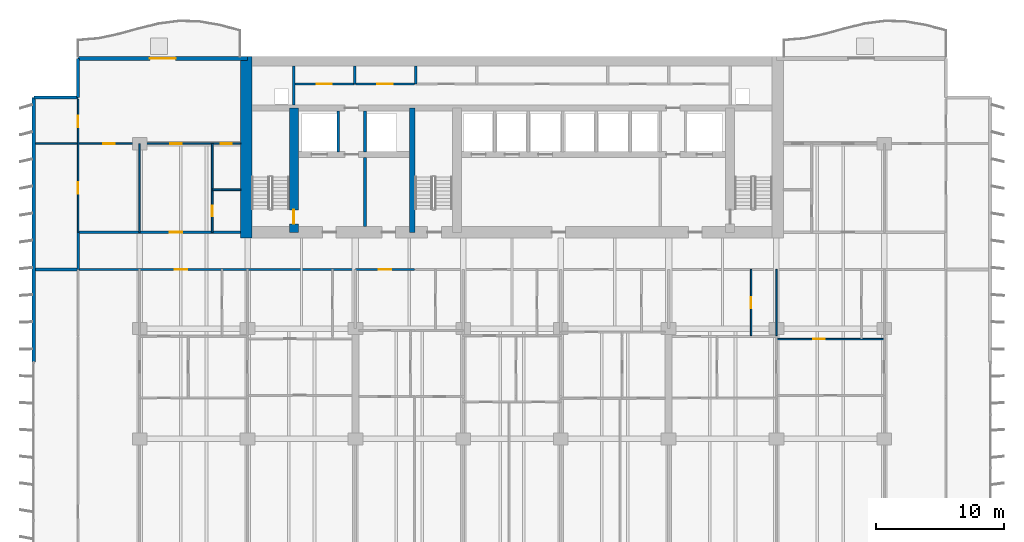
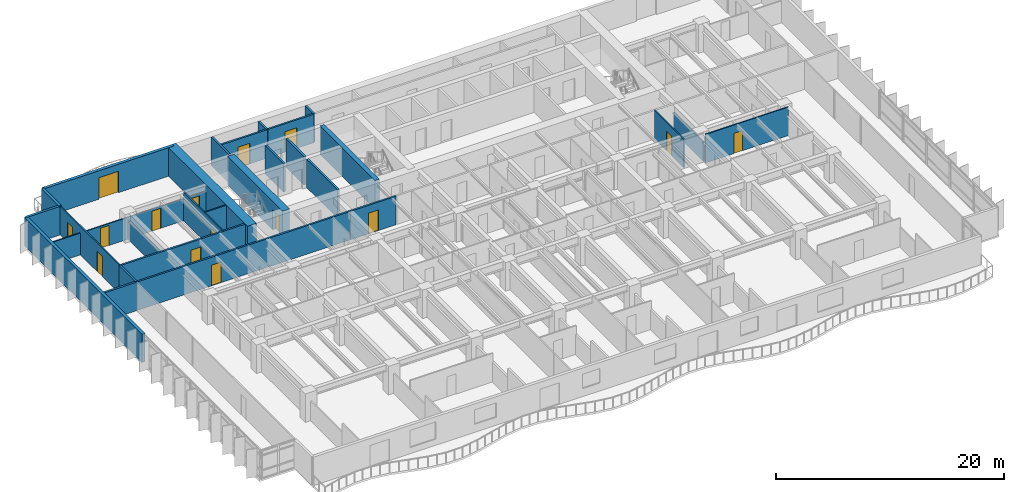
# One storey, part 10 of 18: 28 walls, 15 doors, 15 openings.
"""IFC4 building model written with IfcOpenShell, lengths in metres."""

from ifc_helpers import new_model, si_unit, direction, frame, frame_2d, origin, place, context, subcontext, project, spatial, rectangle, extrude, material, layer, layer_set, type_object, element, fill, save


model = new_model("IFC4")

# Units and contexts
model_context = context("Model", 3, precision=1e-05, world=origin(), true_north=direction((0.0, 1.0)))
body_context = subcontext(model_context, "Body", "Model", "MODEL_VIEW")
ifc_project = project(units=[si_unit("LENGTHUNIT", "METRE"), si_unit("AREAUNIT", "SQUARE_METRE"), si_unit("VOLUMEUNIT", "CUBIC_METRE"), si_unit("PLANEANGLEUNIT", "RADIAN"), si_unit("MASSUNIT", "GRAM", prefix="KILO")], contexts=[model_context])

# Site, building, storey
site_placement = place(None, origin())
site = spatial("IfcSite", under=ifc_project, at=site_placement, CompositionType="ELEMENT")
building_placement = place(site_placement, origin())
building = spatial("IfcBuilding", under=site, at=building_placement, Name="Caelmar Bay Residences", CompositionType="ELEMENT")
storey_placement = place(building_placement, frame((0.0, 0.0, 46.5)))
storey = spatial("IfcBuildingStorey", under=building, at=storey_placement, Name="L11", CompositionType="ELEMENT", Elevation=46.5)

# Wall, opening, door
ifc_material_1 = material(Name="Concrete f'c 55 MPa (8,000 psi)", Category="concrete")
ifc_layer_1 = layer(ifc_material_1, 0.699951171875)
ifc_layer_set_1 = layer_set([ifc_layer_1], Name="Concrete f'c 55 MPa (8,000 psi)")
wall_type_1 = type_object("IfcWallType", Name="SW-COR-700", PredefinedType="SHEAR", material=ifc_layer_set_1)
wall_1_placement = place(storey_placement, frame((21.89990234375, 36.89990234375, 0.0), z_axis=(0.0, 0.0, 1.0), x_axis=(0.0, 1.0, 0.0)))
wall_1 = element("IfcWall", 1, at=wall_1_placement, inside=storey, type_object=wall_type_1, Name="L11 Core Structural Web Wall ST1E", PredefinedType="SHEAR", context=body_context, shape_type="SweptSolid", body=[
    extrude(rectangle(XDim=9.675048828125, YDim=0.699951171875, at=frame_2d((4.83740234375, 0.0))), origin(), (0.0, 0.0, 1.0), 3.050048828125),
])
opening_1_placement = place(wall_1_placement, frame((0.64990234375, 0.0, 0.0)))
opening_1 = element("IfcOpeningElement", 2, at=opening_1_placement, cuts=wall_1, Name="Opening D-L11-108", PredefinedType="OPENING", context=body_context, shape_type="SweptSolid", body=[
    extrude(rectangle(XDim=1.10009765625, YDim=2.14990234375, at=frame_2d((0.550048828125, 1.074951171875))), frame((0.0, 0.35986328125, 0.0), z_axis=(0.0, -1.0, 0.0), x_axis=(1.0, 0.0, 0.0)), (0.0, 0.0, 1.0), 0.719970703125),
])
ifc_material_2 = material(Name="Fire-rated steel and walnut architectural door assembly", Category="steel")
ifc_layer_2 = layer(ifc_material_2, 0.050048828125)
ifc_layer_set_2 = layer_set([ifc_layer_2], Name="Fire-rated steel and walnut architectural door assembly")
door_type_1 = type_object("IfcDoorType", Name="D-STAIR-1100", OperationType="NOTDEFINED", PredefinedType="DOOR", material=ifc_layer_set_2)
door_1_placement = place(opening_1_placement, origin())
door_1 = element("IfcDoor", 3, at=door_1_placement, inside=storey, type_object=door_type_1, Name="L11 Firefighting Lobby West Door", OperationType="SINGLE_SWING_LEFT", OverallHeight=2.14990234375, OverallWidth=1.10009765625, PredefinedType="DOOR", context=body_context, shape_type="SweptSolid", body=[
    extrude(rectangle(XDim=1.10009765625, YDim=2.14990234375, at=frame_2d((0.550048828125, 1.074951171875))), frame((0.0, 0.02490234375, 0.0), z_axis=(0.0, -1.0, 0.0), x_axis=(1.0, 0.0, 0.0)), (0.0, 0.0, 1.0), 0.050048828125),
])
fill(opening_1, door_1)

# Walls
ifc_material_3 = material(Name="Concrete f'c 70 MPa (10,000 psi)", Category="concrete")
ifc_layer_3 = layer(ifc_material_3, 0.89990234375)
ifc_layer_set_3 = layer_set([ifc_layer_3], Name="Concrete f'c 70 MPa (10,000 psi)")
wall_type_2 = type_object("IfcWallType", Name="SW-COR-900", PredefinedType="SHEAR", material=ifc_layer_set_3)
wall_2_placement = place(storey_placement, frame((18.199951171875, 36.449951171875, 0.0), z_axis=(0.0, 0.0, 1.0), x_axis=(0.0, 1.0, 0.0)))
element("IfcWall", 4, at=wall_2_placement, inside=storey, type_object=wall_type_2, Name="L11 Rear Core West Shear Wall", PredefinedType="SHEAR", context=body_context, shape_type="SweptSolid", body=[
    extrude(rectangle(XDim=14.150146484375, YDim=0.89990234375, at=frame_2d((7.0751953125, 0.0))), origin(), (0.0, 0.0, 1.0), 3.050048828125),
])
ifc_layer_4 = layer(ifc_material_3, 0.449951171875)
ifc_layer_set_4 = layer_set([ifc_layer_4], Name="Concrete f'c 70 MPa (10,000 psi)")
wall_type_3 = type_object("IfcWallType", Name="SW-WEB-450", PredefinedType="SHEAR", material=ifc_layer_set_4)
wall_3_placement = place(storey_placement, frame((31.125, 36.89990234375, 0.0), z_axis=(0.0, 0.0, 1.0), x_axis=(0.0, 1.0, 0.0)))
element("IfcWall", 5, at=wall_3_placement, inside=storey, type_object=wall_type_3, Name="L11 Core Structural Web Wall ST3W", PredefinedType="SHEAR", context=body_context, shape_type="SweptSolid", body=[
    extrude(rectangle(XDim=9.675048828125, YDim=0.449951171875, at=frame_2d((4.83740234375, 0.0))), origin(), (0.0, 0.0, 1.0), 3.050048828125),
])
ifc_material_4 = material(Name="Double-stud acoustic fire-rated gypsum partition 180 mm")
ifc_layer_5 = layer(ifc_material_4, 0.179931640625)
ifc_layer_set_5 = layer_set([ifc_layer_5], Name="Double-stud acoustic fire-rated gypsum partition 180 mm")
wall_type_4 = type_object("IfcWallType", Name="W-COR-200", PredefinedType="PARTITIONING", material=ifc_layer_set_5)
wall_4_placement = place(storey_placement, frame((5.10009765625, 34.0048828125, 0.0), z_axis=(0.0, 0.0, 1.0), x_axis=(0.0, 1.0, 0.0)))
element("IfcWall", 6, at=wall_4_placement, inside=storey, type_object=wall_type_4, Name="L11 Partition Wall V006", PredefinedType="PARTITIONING", context=body_context, shape_type="SweptSolid", body=[
    extrude(rectangle(XDim=2.89501953125, YDim=0.179931640625, at=frame_2d((1.447509765625, 0.0))), origin(), (0.0, 0.0, 1.0), 3.050048828125),
])
for number, where, z_axis, x_axis, name in (
    (7, (26.64990234375, 48.449951171875, 0.0), (0.0, 0.0, 1.0), (0.0, 1.0, 0.0), "L11 Partition Wall V030"),
    (8, (31.39990234375, 48.449951171875, 0.0), (0.0, 0.0, 1.0), (0.0, 1.0, 0.0), "L11 Partition Wall V043"),
):
    element("IfcWall", number, at=place(storey_placement, frame(where, z_axis=z_axis, x_axis=x_axis)), inside=storey, type_object=wall_type_4, Name=name, PredefinedType="PARTITIONING", context=body_context, shape_type="SweptSolid", body=[
        extrude(rectangle(XDim=1.405029296875, YDim=0.179931640625, at=frame_2d((0.70263671875, 0.0))), origin(), (0.0, 0.0, 1.0), 3.050048828125),
    ])

# Wall, opening, door
wall_5_placement = place(storey_placement, frame((5.10498046875, 34.0, 0.0), z_axis=(0.0, 0.0, 1.0), x_axis=(1.0, 0.0, 0.0)))
wall_5 = element("IfcWall", 9, at=wall_5_placement, inside=storey, type_object=wall_type_4, Name="L11 Partition Wall H135", PredefinedType="PARTITIONING", context=body_context, shape_type="SweptSolid", body=[
    extrude(rectangle(XDim=21.544921875, YDim=0.179931640625, at=frame_2d((10.7724609375, 0.0))), origin(), (0.0, 0.0, 1.0), 3.050048828125),
])
opening_2_placement = place(wall_5_placement, frame((7.50439453125, 0.0, 0.0)))
opening_2 = element("IfcOpeningElement", 10, at=opening_2_placement, cuts=wall_5, Name="Opening D-L11-123", PredefinedType="OPENING", context=body_context, shape_type="SweptSolid", body=[
    extrude(rectangle(XDim=1.0, YDim=2.199951171875, at=frame_2d((0.5, 1.10009765625))), frame((0.0, 0.099853515625, 0.0), z_axis=(0.0, -1.0, 0.0), x_axis=(1.0, 0.0, 0.0)), (0.0, 0.0, 1.0), 0.199951171875),
])
ifc_layer_6 = layer(ifc_material_2, 0.050048828125)
ifc_layer_set_6 = layer_set([ifc_layer_6], Name="Fire-rated steel and walnut architectural door assembly")
door_type_2 = type_object("IfcDoorType", Name="D-UNIT-1000", OperationType="NOTDEFINED", PredefinedType="DOOR", material=ifc_layer_set_6)
door_2_placement = place(opening_2_placement, origin())
door_2 = element("IfcDoor", 11, at=door_2_placement, inside=storey, type_object=door_type_2, Name="L11 Residence 01 Apartment Hall Door", OperationType="SINGLE_SWING_RIGHT", OverallHeight=2.199951171875, OverallWidth=1.0, PredefinedType="DOOR", context=body_context, shape_type="SweptSolid", body=[
    extrude(rectangle(XDim=1.0, YDim=2.199951171875, at=frame_2d((0.5, 1.10009765625))), frame((0.0, 0.02490234375, 0.0), z_axis=(0.0, -1.0, 0.0), x_axis=(1.0, 0.0, 0.0)), (0.0, 0.0, 1.0), 0.050048828125),
])
fill(opening_2, door_2)

wall_6_placement = place(storey_placement, frame((26.699951171875, 34.0, 0.0), z_axis=(0.0, 0.0, 1.0), x_axis=(1.0, 0.0, 0.0)))
wall_6 = element("IfcWall", 12, at=wall_6_placement, inside=storey, type_object=wall_type_4, Name="L11 Partition Wall H136", PredefinedType="PARTITIONING", context=body_context, shape_type="SweptSolid", body=[
    extrude(rectangle(XDim=4.6201171875, YDim=0.179931640625, at=frame_2d((2.31005859375, 0.0))), origin(), (0.0, 0.0, 1.0), 3.050048828125),
])
opening_3_placement = place(wall_6_placement, frame((1.81005859375, 0.0, 0.0)))
opening_3 = element("IfcOpeningElement", 13, at=opening_3_placement, cuts=wall_6, Name="Opening D-L11-134", PredefinedType="OPENING", context=body_context, shape_type="SweptSolid", body=[
    extrude(rectangle(XDim=1.0, YDim=2.199951171875, at=frame_2d((0.5, 1.10009765625))), frame((0.0, 0.099853515625, 0.0), z_axis=(0.0, -1.0, 0.0), x_axis=(1.0, 0.0, 0.0)), (0.0, 0.0, 1.0), 0.199951171875),
])
door_3_placement = place(opening_3_placement, origin())
door_3 = element("IfcDoor", 14, at=door_3_placement, inside=storey, type_object=door_type_2, Name="L11 Residence 02 Apartment Hall Door", OperationType="SINGLE_SWING_LEFT", OverallHeight=2.199951171875, OverallWidth=1.0, PredefinedType="DOOR", context=body_context, shape_type="SweptSolid", body=[
    extrude(rectangle(XDim=1.0, YDim=2.199951171875, at=frame_2d((0.5, 1.10009765625))), frame((0.0, 0.02490234375, 0.0), z_axis=(0.0, -1.0, 0.0), x_axis=(1.0, 0.0, 0.0)), (0.0, 0.0, 1.0), 0.050048828125),
])
fill(opening_3, door_3)

wall_7_placement = place(storey_placement, frame((5.10009765625, 36.89990234375, 0.0), z_axis=(0.0, 0.0, 1.0), x_axis=(1.0, 0.0, 0.0)))
wall_7 = element("IfcWall", 15, at=wall_7_placement, inside=storey, type_object=wall_type_4, Name="L11 Partition Wall H139", PredefinedType="PARTITIONING", context=body_context, shape_type="SweptSolid", body=[
    extrude(rectangle(XDim=12.64501953125, YDim=0.179931640625, at=frame_2d((6.322509765625, 0.0))), origin(), (0.0, 0.0, 1.0), 3.050048828125),
])
opening_4_placement = place(wall_7_placement, frame((7.125, 0.0, 0.0)))
opening_4 = element("IfcOpeningElement", 16, at=opening_4_placement, cuts=wall_7, Name="Opening D-L11-169", PredefinedType="OPENING", context=body_context, shape_type="SweptSolid", body=[
    extrude(rectangle(XDim=1.0, YDim=2.199951171875, at=frame_2d((0.5, 1.10009765625))), frame((0.0, 0.099853515625, 0.0), z_axis=(0.0, -1.0, 0.0), x_axis=(1.0, 0.0, 0.0)), (0.0, 0.0, 1.0), 0.199951171875),
])
door_4_placement = place(opening_4_placement, origin())
door_4 = element("IfcDoor", 17, at=door_4_placement, inside=storey, type_object=door_type_2, Name="L11 Residence WA Kitchen Door", OperationType="SINGLE_SWING_RIGHT", OverallHeight=2.199951171875, OverallWidth=1.0, PredefinedType="DOOR", context=body_context, shape_type="SweptSolid", body=[
    extrude(rectangle(XDim=1.0, YDim=2.199951171875, at=frame_2d((0.5, 1.10009765625))), frame((0.0, 0.02490234375, 0.0), z_axis=(0.0, -1.0, 0.0), x_axis=(1.0, 0.0, 0.0)), (0.0, 0.0, 1.0), 0.050048828125),
])
fill(opening_4, door_4)

wall_8_placement = place(storey_placement, frame((21.89990234375, 48.449951171875, 0.0), z_axis=(0.0, 0.0, 1.0), x_axis=(1.0, 0.0, 0.0)))
wall_8 = element("IfcWall", 18, at=wall_8_placement, inside=storey, type_object=wall_type_4, Name="L11 Partition Wall H145", PredefinedType="PARTITIONING", context=body_context, shape_type="SweptSolid", body=[
    extrude(rectangle(XDim=4.75, YDim=0.179931640625, at=frame_2d((2.375, 0.0))), origin(), (0.0, 0.0, 1.0), 3.050048828125),
])
opening_5_placement = place(wall_8_placement, frame((1.77490234375, 0.0, 0.0)))
opening_5 = element("IfcOpeningElement", 19, at=opening_5_placement, cuts=wall_8, Name="Opening D-L11-117", PredefinedType="OPENING", context=body_context, shape_type="SweptSolid", body=[
    extrude(rectangle(XDim=1.199951171875, YDim=2.199951171875, at=frame_2d((0.60009765625, 1.10009765625))), frame((0.0, 0.099853515625, 0.0), z_axis=(0.0, -1.0, 0.0), x_axis=(1.0, 0.0, 0.0)), (0.0, 0.0, 1.0), 0.199951171875),
])
ifc_layer_7 = layer(ifc_material_2, 0.050048828125)
ifc_layer_set_7 = layer_set([ifc_layer_7], Name="Fire-rated steel and walnut architectural door assembly")
door_type_3 = type_object("IfcDoorType", Name="D-PLANT-1200", OperationType="NOTDEFINED", PredefinedType="DOOR", material=ifc_layer_set_7)
door_5_placement = place(opening_5_placement, origin())
door_5 = element("IfcDoor", 20, at=door_5_placement, inside=storey, type_object=door_type_3, Name="L11 Branch Panel Closet Door", OperationType="SINGLE_SWING_RIGHT", OverallHeight=2.199951171875, OverallWidth=1.199951171875, PredefinedType="DOOR", context=body_context, shape_type="SweptSolid", body=[
    extrude(rectangle(XDim=1.199951171875, YDim=2.199951171875, at=frame_2d((0.60009765625, 1.10009765625))), frame((0.0, 0.02490234375, 0.0), z_axis=(0.0, -1.0, 0.0), x_axis=(1.0, 0.0, 0.0)), (0.0, 0.0, 1.0), 0.050048828125),
])
fill(opening_5, door_5)

wall_9_placement = place(storey_placement, frame((26.699951171875, 48.449951171875, 0.0), z_axis=(0.0, 0.0, 1.0), x_axis=(1.0, 0.0, 0.0)))
wall_9 = element("IfcWall", 21, at=wall_9_placement, inside=storey, type_object=wall_type_4, Name="L11 Partition Wall H146", PredefinedType="PARTITIONING", context=body_context, shape_type="SweptSolid", body=[
    extrude(rectangle(XDim=4.6201171875, YDim=0.179931640625, at=frame_2d((2.31005859375, 0.0))), origin(), (0.0, 0.0, 1.0), 3.050048828125),
])
opening_6_placement = place(wall_9_placement, frame((1.7099609375, 0.0, 0.0)))
opening_6 = element("IfcOpeningElement", 22, at=opening_6_placement, cuts=wall_9, Name="Opening D-L11-118", PredefinedType="OPENING", context=body_context, shape_type="SweptSolid", body=[
    extrude(rectangle(XDim=1.199951171875, YDim=2.199951171875, at=frame_2d((0.60009765625, 1.10009765625))), frame((0.0, 0.099853515625, 0.0), z_axis=(0.0, -1.0, 0.0), x_axis=(1.0, 0.0, 0.0)), (0.0, 0.0, 1.0), 0.199951171875),
])
door_6_placement = place(opening_6_placement, origin())
door_6 = element("IfcDoor", 23, at=door_6_placement, inside=storey, type_object=door_type_3, Name="L11 Water Meter Closet Door", OperationType="SINGLE_SWING_LEFT", OverallHeight=2.199951171875, OverallWidth=1.199951171875, PredefinedType="DOOR", context=body_context, shape_type="SweptSolid", body=[
    extrude(rectangle(XDim=1.199951171875, YDim=2.199951171875, at=frame_2d((0.60009765625, 1.10009765625))), frame((0.0, 0.02490234375, 0.0), z_axis=(0.0, -1.0, 0.0), x_axis=(1.0, 0.0, 0.0)), (0.0, 0.0, 1.0), 0.050048828125),
])
fill(opening_6, door_6)

# Walls
ifc_material_5 = material(Name="Precast concrete f'c 40 MPa (6,000 psi)", Category="concrete")
ifc_layer_8 = layer(ifc_material_5, 0.25)
ifc_layer_set_8 = layer_set([ifc_layer_8], Name="Precast concrete f'c 40 MPa (6,000 psi)")
wall_type_5 = type_object("IfcWallType", Name="W-EXT-250", PredefinedType="ELEMENTEDWALL", material=ifc_layer_set_8)
wall_10_placement = place(storey_placement, frame((1.64990234375, 47.39990234375, 0.0), z_axis=(0.0, 0.0, 1.0), x_axis=(1.0, 0.0, 0.0)))
element("IfcWall", 24, at=wall_10_placement, inside=storey, type_object=wall_type_5, Name="L11 NNW-H Notch Wall", PredefinedType="ELEMENTEDWALL", context=body_context, shape_type="SweptSolid", body=[
    extrude(rectangle(XDim=3.4501953125, YDim=0.25, at=frame_2d((1.72509765625, 0.0))), origin(), (0.0, 0.0, 1.0), 3.050048828125),
])
wall_11_placement = place(storey_placement, frame((5.10009765625, 47.39990234375, 0.0), z_axis=(0.0, 0.0, 1.0), x_axis=(0.0, 1.0, 0.0)))
element("IfcWall", 25, at=wall_11_placement, inside=storey, type_object=wall_type_5, Name="L11 NNW-V Notch Wall", PredefinedType="ELEMENTEDWALL", context=body_context, shape_type="SweptSolid", body=[
    extrude(rectangle(XDim=3.050048828125, YDim=0.25, at=frame_2d((1.52490234375, 0.0))), origin(), (0.0, 0.0, 1.0), 3.050048828125),
])
ifc_layer_9 = layer(ifc_material_5, 0.300048828125)
ifc_layer_set_9 = layer_set([ifc_layer_9], Name="Precast concrete f'c 40 MPa (6,000 psi)")
wall_type_6 = type_object("IfcWallType", Name="W-EXT-300", PredefinedType="STANDARD", material=ifc_layer_set_9)
wall_12_placement = place(storey_placement, frame((1.64990234375, 26.800048828125, 0.0), z_axis=(0.0, 0.0, 1.0), x_axis=(0.0, 1.0, 0.0)))
element("IfcWall", 26, at=wall_12_placement, inside=storey, type_object=wall_type_6, Name="L11 West Rear Exterior Wall", PredefinedType="STANDARD", context=body_context, shape_type="SweptSolid", body=[
    extrude(rectangle(XDim=20.599853515625, YDim=0.300048828125, at=frame_2d((10.2998046875, 0.0))), origin(), (0.0, 0.0, 1.0), 3.050048828125),
])

# Wall, opening, door
wall_13_placement = place(storey_placement, frame((5.10009765625, 50.449951171875, 0.0), z_axis=(0.0, 0.0, 1.0), x_axis=(1.0, 0.0, 0.0)))
wall_13 = element("IfcWall", 27, at=wall_13_placement, inside=storey, type_object=wall_type_6, Name="L11 North-West Wing Exterior Wall", PredefinedType="STANDARD", context=body_context, shape_type="SweptSolid", body=[
    extrude(rectangle(XDim=13.199951171875, YDim=0.300048828125, at=frame_2d((6.60009765625, 0.0))), origin(), (0.0, 0.0, 1.0), 3.050048828125),
])
opening_7_placement = place(wall_13_placement, frame((5.60009765625, 0.0, 0.0)))
opening_7 = element("IfcOpeningElement", 28, at=opening_7_placement, cuts=wall_13, Name="Opening L11-BDNW", PredefinedType="OPENING", context=body_context, shape_type="SweptSolid", body=[
    extrude(rectangle(XDim=2.0, YDim=2.300048828125, at=frame_2d((1.0, 1.14990234375))), frame((0.0, 0.159912109375, 0.0), z_axis=(0.0, -1.0, 0.0), x_axis=(1.0, 0.0, 0.0)), (0.0, 0.0, 1.0), 0.320068359375),
])
ifc_material_6 = material(Name="Anodised bronze thermally broken sliding glass door", Category="glass")
ifc_layer_10 = layer(ifc_material_6, 0.050048828125)
ifc_layer_set_10 = layer_set([ifc_layer_10], Name="Anodised bronze thermally broken sliding glass door")
door_type_4 = type_object("IfcDoorType", Name="D-BAL-2000", OperationType="DOUBLE_DOOR_SLIDING", PredefinedType="DOOR", material=ifc_layer_set_10)
door_7_placement = place(opening_7_placement, origin())
door_7 = element("IfcDoor", 29, at=door_7_placement, inside=storey, type_object=door_type_4, Name="L11 North-West Balcony Door", OperationType="DOUBLE_DOOR_SLIDING", OverallHeight=2.300048828125, OverallWidth=2.0, PredefinedType="DOOR", context=body_context, shape_type="SweptSolid", body=[
    extrude(rectangle(XDim=2.0, YDim=2.300048828125, at=frame_2d((1.0, 1.14990234375))), frame((0.0, 0.02490234375, 0.0), z_axis=(0.0, -1.0, 0.0), x_axis=(1.0, 0.0, 0.0)), (0.0, 0.0, 1.0), 0.050048828125),
])
fill(opening_7, door_7)

# Walls
ifc_material_7 = material(Name="Fire-rated masonry and gypsum shaftliner assembly 200 mm", Category="masonry")
ifc_layer_11 = layer(ifc_material_7, 0.199951171875)
ifc_layer_set_11 = layer_set([ifc_layer_11], Name="Fire-rated masonry and gypsum shaftliner assembly 200 mm")
wall_type_7 = type_object("IfcWallType", Name="W-FSAE-200", PredefinedType="PARTITIONING", material=ifc_layer_set_11)
wall_14_placement = place(storey_placement, frame((21.89990234375, 46.794921875, 0.0), z_axis=(0.0, 0.0, 1.0), x_axis=(0.0, 1.0, 0.0)))
element("IfcWall", 30, at=wall_14_placement, inside=storey, type_object=wall_type_7, Name="L11 Partition Wall V026", PredefinedType="PARTITIONING", context=body_context, shape_type="SweptSolid", body=[
    extrude(rectangle(XDim=3.06005859375, YDim=0.199951171875, at=frame_2d((1.530029296875, 0.0))), origin(), (0.0, 0.0, 1.0), 3.050048828125),
])
wall_15_placement = place(storey_placement, frame((25.35009765625, 43.169921875, 0.0), z_axis=(0.0, 0.0, 1.0), x_axis=(0.0, 1.0, 0.0)))
element("IfcWall", 31, at=wall_15_placement, inside=storey, type_object=wall_type_7, Name="L11 Partition Wall V029", PredefinedType="PARTITIONING", context=body_context, shape_type="SweptSolid", body=[
    extrude(rectangle(XDim=3.18505859375, YDim=0.199951171875, at=frame_2d((1.592529296875, 0.0))), origin(), (0.0, 0.0, 1.0), 3.050048828125),
])
wall_16_placement = place(storey_placement, frame((27.449951171875, 37.344970703125, 0.0), z_axis=(0.0, 0.0, 1.0), x_axis=(0.0, 1.0, 0.0)))
element("IfcWall", 32, at=wall_16_placement, inside=storey, type_object=wall_type_7, Name="L11 Partition Wall V034", PredefinedType="PARTITIONING", context=body_context, shape_type="SweptSolid", body=[
    extrude(rectangle(XDim=5.385009765625, YDim=0.199951171875, at=frame_2d((2.6923828125, 0.0))), origin(), (0.0, 0.0, 1.0), 3.050048828125),
])
wall_17_placement = place(storey_placement, frame((27.449951171875, 43.169921875, 0.0), z_axis=(0.0, 0.0, 1.0), x_axis=(0.0, 1.0, 0.0)))
element("IfcWall", 33, at=wall_17_placement, inside=storey, type_object=wall_type_7, Name="L11 Partition Wall V035", PredefinedType="PARTITIONING", context=body_context, shape_type="SweptSolid", body=[
    extrude(rectangle(XDim=3.18505859375, YDim=0.199951171875, at=frame_2d((1.592529296875, 0.0))), origin(), (0.0, 0.0, 1.0), 3.050048828125),
])

# Wall, openings, doors
ifc_material_8 = material(Name="Acoustic metal-stud gypsum partition 120 mm")
ifc_layer_12 = layer(ifc_material_8, 0.1201171875)
ifc_layer_set_12 = layer_set([ifc_layer_12], Name="Acoustic metal-stud gypsum partition 120 mm")
wall_type_8 = type_object("IfcWallType", Name="W-PRT-120", PredefinedType="PARTITIONING", material=ifc_layer_set_12)
wall_18_placement = place(storey_placement, frame((5.10009765625, 36.905029296875, 0.0), z_axis=(0.0, 0.0, 1.0), x_axis=(0.0, 1.0, 0.0)))
wall_18 = element("IfcWall", 34, at=wall_18_placement, inside=storey, type_object=wall_type_8, Name="L11 Partition Wall V007", PredefinedType="PARTITIONING", context=body_context, shape_type="SweptSolid", body=[
    extrude(rectangle(XDim=10.375, YDim=0.1201171875, at=frame_2d((5.1875, 0.0))), origin(), (0.0, 0.0, 1.0), 3.050048828125),
])
opening_8_placement = place(wall_18_placement, frame((2.99755859375, 0.0, 0.0)))
opening_8 = element("IfcOpeningElement", 35, at=opening_8_placement, cuts=wall_18, Name="Opening D-L11-173", PredefinedType="OPENING", context=body_context, shape_type="SweptSolid", body=[
    extrude(rectangle(XDim=0.89990234375, YDim=2.14990234375, at=frame_2d((0.449951171875, 1.074951171875))), frame((0.0, 0.070068359375, 0.0), z_axis=(0.0, -1.0, 0.0), x_axis=(1.0, 0.0, 0.0)), (0.0, 0.0, 1.0), 0.14013671875),
])
opening_9_placement = place(wall_18_placement, frame((8.18505859375, 0.0, 0.0)))
opening_9 = element("IfcOpeningElement", 36, at=opening_9_placement, cuts=wall_18, Name="Opening D-L11-174", PredefinedType="OPENING", context=body_context, shape_type="SweptSolid", body=[
    extrude(rectangle(XDim=0.89990234375, YDim=2.14990234375, at=frame_2d((0.449951171875, 1.074951171875))), frame((0.0, 0.070068359375, 0.0), z_axis=(0.0, -1.0, 0.0), x_axis=(1.0, 0.0, 0.0)), (0.0, 0.0, 1.0), 0.14013671875),
])
ifc_material_9 = material(Name="Solid walnut timber interior door leaf and frame", Category="wood")
ifc_layer_13 = layer(ifc_material_9, 0.050048828125)
ifc_layer_set_13 = layer_set([ifc_layer_13], Name="Solid walnut timber interior door leaf and frame")
door_type_5 = type_object("IfcDoorType", Name="D-ROOM-900", OperationType="NOTDEFINED", PredefinedType="DOOR", material=ifc_layer_set_13)
door_8_placement = place(opening_8_placement, origin())
door_8 = element("IfcDoor", 37, at=door_8_placement, inside=storey, type_object=door_type_5, Name="L11 Residence WA Sun Study Door", OperationType="SINGLE_SWING_RIGHT", OverallHeight=2.14990234375, OverallWidth=0.89990234375, PredefinedType="DOOR", context=body_context, shape_type="SweptSolid", body=[
    extrude(rectangle(XDim=0.89990234375, YDim=2.14990234375, at=frame_2d((0.449951171875, 1.074951171875))), frame((0.0, 0.02490234375, 0.0), z_axis=(0.0, -1.0, 0.0), x_axis=(1.0, 0.0, 0.0)), (0.0, 0.0, 1.0), 0.050048828125),
])
fill(opening_8, door_8)
door_9_placement = place(opening_9_placement, origin())
door_9 = element("IfcDoor", 38, at=door_9_placement, inside=storey, type_object=door_type_5, Name="L11 Residence WA North Sitting Alcove Door", OperationType="SINGLE_SWING_LEFT", OverallHeight=2.14990234375, OverallWidth=0.89990234375, PredefinedType="DOOR", context=body_context, shape_type="SweptSolid", body=[
    extrude(rectangle(XDim=0.89990234375, YDim=2.14990234375, at=frame_2d((0.449951171875, 1.074951171875))), frame((0.0, 0.02490234375, 0.0), z_axis=(0.0, -1.0, 0.0), x_axis=(1.0, 0.0, 0.0)), (0.0, 0.0, 1.0), 0.050048828125),
])
fill(opening_9, door_9)

# Wall
wall_19_placement = place(storey_placement, frame((9.89990234375, 36.89990234375, 0.0), z_axis=(0.0, 0.0, 1.0), x_axis=(0.0, 1.0, 0.0)))
element("IfcWall", 39, at=wall_19_placement, inside=storey, type_object=wall_type_8, Name="L11 Partition Wall V014", PredefinedType="PARTITIONING", context=body_context, shape_type="SweptSolid", body=[
    extrude(rectangle(XDim=6.900146484375, YDim=0.1201171875, at=frame_2d((3.4501953125, 0.0))), origin(), (0.0, 0.0, 1.0), 2.110107421875),
])

# Wall, opening, door
wall_20_placement = place(storey_placement, frame((15.550048828125, 36.89990234375, 0.0), z_axis=(0.0, 0.0, 1.0), x_axis=(0.0, 1.0, 0.0)))
wall_20 = element("IfcWall", 40, at=wall_20_placement, inside=storey, type_object=wall_type_8, Name="L11 Partition Wall V018", PredefinedType="PARTITIONING", context=body_context, shape_type="SweptSolid", body=[
    extrude(rectangle(XDim=6.900146484375, YDim=0.1201171875, at=frame_2d((3.4501953125, 0.0))), origin(), (0.0, 0.0, 1.0), 3.050048828125),
])
opening_10_placement = place(wall_20_placement, frame((1.23095703125, 0.0, 0.0)))
opening_10 = element("IfcOpeningElement", 41, at=opening_10_placement, cuts=wall_20, Name="Opening D-L11-171", PredefinedType="OPENING", context=body_context, shape_type="SweptSolid", body=[
    extrude(rectangle(XDim=0.85009765625, YDim=2.10009765625, at=frame_2d((0.425048828125, 1.050048828125))), frame((0.0, 0.070068359375, 0.0), z_axis=(0.0, -1.0, 0.0), x_axis=(1.0, 0.0, 0.0)), (0.0, 0.0, 1.0), 0.14013671875),
])
ifc_layer_14 = layer(ifc_material_9, 0.050048828125)
ifc_layer_set_14 = layer_set([ifc_layer_14], Name="Solid walnut timber interior door leaf and frame")
door_type_6 = type_object("IfcDoorType", Name="D-BATH-850", OperationType="NOTDEFINED", PredefinedType="DOOR", material=ifc_layer_set_14)
door_10_placement = place(opening_10_placement, origin())
door_10 = element("IfcDoor", 42, at=door_10_placement, inside=storey, type_object=door_type_6, Name="L11 Residence WA Walk-In Closet Door", OperationType="SINGLE_SWING_RIGHT", OverallHeight=2.10009765625, OverallWidth=0.85009765625, PredefinedType="DOOR", context=body_context, shape_type="SweptSolid", body=[
    extrude(rectangle(XDim=0.85009765625, YDim=2.10009765625, at=frame_2d((0.425048828125, 1.050048828125))), frame((0.0, 0.02490234375, 0.0), z_axis=(0.0, -1.0, 0.0), x_axis=(1.0, 0.0, 0.0)), (0.0, 0.0, 1.0), 0.050048828125),
])
fill(opening_10, door_10)

wall_21_placement = place(storey_placement, frame((57.527099609375, 28.840087890625, 0.0), z_axis=(0.0, 0.0, 1.0), x_axis=(0.0, 1.0, 0.0)))
wall_21 = element("IfcWall", 43, at=wall_21_placement, inside=storey, type_object=wall_type_8, Name="L11 Partition Wall V089", PredefinedType="PARTITIONING", context=body_context, shape_type="SweptSolid", body=[
    extrude(rectangle(XDim=5.159912109375, YDim=0.1201171875, at=frame_2d((2.580078125, 0.0))), origin(), (0.0, 0.0, 1.0), 3.050048828125),
])
opening_11_placement = place(wall_21_placement, frame((2.155029296875, 0.0, 0.0)))
opening_11 = element("IfcOpeningElement", 44, at=opening_11_placement, cuts=wall_21, Name="Opening D-L11-156", PredefinedType="OPENING", context=body_context, shape_type="SweptSolid", body=[
    extrude(rectangle(XDim=0.85009765625, YDim=2.10009765625, at=frame_2d((0.425048828125, 1.050048828125))), frame((0.0, 0.070068359375, 0.0), z_axis=(0.0, -1.0, 0.0), x_axis=(1.0, 0.0, 0.0)), (0.0, 0.0, 1.0), 0.14013671875),
])
door_11_placement = place(opening_11_placement, origin())
door_11 = element("IfcDoor", 45, at=door_11_placement, inside=storey, type_object=door_type_6, Name="L11 Residence 05 Guest Bathroom Door", OperationType="SINGLE_SWING_LEFT", OverallHeight=2.10009765625, OverallWidth=0.85009765625, PredefinedType="DOOR", context=body_context, shape_type="SweptSolid", body=[
    extrude(rectangle(XDim=0.85009765625, YDim=2.10009765625, at=frame_2d((0.425048828125, 1.050048828125))), frame((0.0, 0.02490234375, 0.0), z_axis=(0.0, -1.0, 0.0), x_axis=(1.0, 0.0, 0.0)), (0.0, 0.0, 1.0), 0.050048828125),
])
fill(opening_11, door_11)

# Wall
wall_22_placement = place(storey_placement, frame((59.5, 28.840087890625, 0.0), z_axis=(0.0, 0.0, 1.0), x_axis=(0.0, 1.0, 0.0)))
element("IfcWall", 46, at=wall_22_placement, inside=storey, type_object=wall_type_8, Name="L11 Partition Wall V095", PredefinedType="PARTITIONING", context=body_context, shape_type="SweptSolid", body=[
    extrude(rectangle(XDim=5.159912109375, YDim=0.1201171875, at=frame_2d((2.580078125, 0.0))), origin(), (0.0, 0.0, 1.0), 2.110107421875),
])

# Wall, opening, door
wall_23_placement = place(storey_placement, frame((59.5, 28.580078125, 0.0), z_axis=(0.0, 0.0, 1.0), x_axis=(1.0, 0.0, 0.0)))
wall_23 = element("IfcWall", 47, at=wall_23_placement, inside=storey, type_object=wall_type_8, Name="L11 Partition Wall H126", PredefinedType="PARTITIONING", context=body_context, shape_type="SweptSolid", body=[
    extrude(rectangle(XDim=8.39990234375, YDim=0.1201171875, at=frame_2d((4.199951171875, 0.0))), origin(), (0.0, 0.0, 1.0), 3.050048828125),
])
opening_12_placement = place(wall_23_placement, frame((2.864501953125, 0.0, 0.0)))
opening_12 = element("IfcOpeningElement", 48, at=opening_12_placement, cuts=wall_23, Name="Opening D-L11-161", PredefinedType="OPENING", context=body_context, shape_type="SweptSolid", body=[
    extrude(rectangle(XDim=0.89990234375, YDim=2.14990234375, at=frame_2d((0.449951171875, 1.074951171875))), frame((0.0, 0.070068359375, 0.0), z_axis=(0.0, -1.0, 0.0), x_axis=(1.0, 0.0, 0.0)), (0.0, 0.0, 1.0), 0.14013671875),
])
door_12_placement = place(opening_12_placement, origin())
door_12 = element("IfcDoor", 49, at=door_12_placement, inside=storey, type_object=door_type_5, Name="L11 Residence 05 Home Office 1 Door", OperationType="SINGLE_SWING_RIGHT", OverallHeight=2.14990234375, OverallWidth=0.89990234375, PredefinedType="DOOR", context=body_context, shape_type="SweptSolid", body=[
    extrude(rectangle(XDim=0.89990234375, YDim=2.14990234375, at=frame_2d((0.449951171875, 1.074951171875))), frame((0.0, 0.02490234375, 0.0), z_axis=(0.0, -1.0, 0.0), x_axis=(1.0, 0.0, 0.0)), (0.0, 0.0, 1.0), 0.050048828125),
])
fill(opening_12, door_12)

# Wall
wall_24_placement = place(storey_placement, frame((15.550048828125, 40.2119140625, 0.0), z_axis=(0.0, 0.0, 1.0), x_axis=(1.0, 0.0, 0.0)))
element("IfcWall", 50, at=wall_24_placement, inside=storey, type_object=wall_type_8, Name="L11 Partition Wall H141", PredefinedType="PARTITIONING", context=body_context, shape_type="SweptSolid", body=[
    extrude(rectangle(XDim=2.204833984375, YDim=0.1201171875, at=frame_2d((1.1025390625, 0.0))), origin(), (0.0, 0.0, 1.0), 3.050048828125),
])

# Wall, openings, doors
wall_25_placement = place(storey_placement, frame((1.794921875, 43.800048828125, 0.0), z_axis=(0.0, 0.0, 1.0), x_axis=(1.0, 0.0, 0.0)))
wall_25 = element("IfcWall", 51, at=wall_25_placement, inside=storey, type_object=wall_type_8, Name="L11 Partition Wall H143", PredefinedType="PARTITIONING", context=body_context, shape_type="SweptSolid", body=[
    extrude(rectangle(XDim=15.9599609375, YDim=0.1201171875, at=frame_2d((7.97998046875, 0.0))), origin(), (0.0, 0.0, 1.0), 2.339111328125),
])
opening_13_placement = place(wall_25_placement, frame((5.2548828125, 0.0, 0.0)))
opening_13 = element("IfcOpeningElement", 52, at=opening_13_placement, cuts=wall_25, Name="Opening D-L11-168", PredefinedType="OPENING", context=body_context, shape_type="SweptSolid", body=[
    extrude(rectangle(XDim=0.89990234375, YDim=2.14990234375, at=frame_2d((0.449951171875, 1.074951171875))), frame((0.0, 0.070068359375, 0.0), z_axis=(0.0, -1.0, 0.0), x_axis=(1.0, 0.0, 0.0)), (0.0, 0.0, 1.0), 0.14013671875),
])
opening_14_placement = place(wall_25_placement, frame((10.47998046875, 0.0, 0.0)))
opening_14 = element("IfcOpeningElement", 53, at=opening_14_placement, cuts=wall_25, Name="Opening D-L11-170", PredefinedType="OPENING", context=body_context, shape_type="SweptSolid", body=[
    extrude(rectangle(XDim=0.89990234375, YDim=2.14990234375, at=frame_2d((0.449951171875, 1.074951171875))), frame((0.0, 0.070068359375, 0.0), z_axis=(0.0, -1.0, 0.0), x_axis=(1.0, 0.0, 0.0)), (0.0, 0.0, 1.0), 0.14013671875),
])
opening_15_placement = place(wall_25_placement, frame((14.4326171875, 0.0, 0.0)))
opening_15 = element("IfcOpeningElement", 54, at=opening_15_placement, cuts=wall_25, Name="Opening D-L11-172", PredefinedType="OPENING", context=body_context, shape_type="SweptSolid", body=[
    extrude(rectangle(XDim=0.85009765625, YDim=2.10009765625, at=frame_2d((0.425048828125, 1.050048828125))), frame((0.0, 0.070068359375, 0.0), z_axis=(0.0, -1.0, 0.0), x_axis=(1.0, 0.0, 0.0)), (0.0, 0.0, 1.0), 0.14013671875),
])
door_13_placement = place(opening_15_placement, origin())
door_13 = element("IfcDoor", 55, at=door_13_placement, inside=storey, type_object=door_type_6, Name="L11 Residence WA Bathroom Door", OperationType="SINGLE_SWING_LEFT", OverallHeight=2.10009765625, OverallWidth=0.85009765625, PredefinedType="DOOR", context=body_context, shape_type="SweptSolid", body=[
    extrude(rectangle(XDim=0.85009765625, YDim=2.10009765625, at=frame_2d((0.425048828125, 1.050048828125))), frame((0.0, 0.02490234375, 0.0), z_axis=(0.0, -1.0, 0.0), x_axis=(1.0, 0.0, 0.0)), (0.0, 0.0, 1.0), 0.050048828125),
])
fill(opening_15, door_13)
door_14_placement = place(opening_13_placement, origin())
door_14 = element("IfcDoor", 56, at=door_14_placement, inside=storey, type_object=door_type_5, Name="L11 Residence WA Study Door", OperationType="SINGLE_SWING_LEFT", OverallHeight=2.14990234375, OverallWidth=0.89990234375, PredefinedType="DOOR", context=body_context, shape_type="SweptSolid", body=[
    extrude(rectangle(XDim=0.89990234375, YDim=2.14990234375, at=frame_2d((0.449951171875, 1.074951171875))), frame((0.0, 0.02490234375, 0.0), z_axis=(0.0, -1.0, 0.0), x_axis=(1.0, 0.0, 0.0)), (0.0, 0.0, 1.0), 0.050048828125),
])
fill(opening_13, door_14)
door_15_placement = place(opening_14_placement, origin())
door_15 = element("IfcDoor", 57, at=door_15_placement, inside=storey, type_object=door_type_5, Name="L11 Residence WA Studio Living and Sleeping Room Door", OperationType="SINGLE_SWING_LEFT", OverallHeight=2.14990234375, OverallWidth=0.89990234375, PredefinedType="DOOR", context=body_context, shape_type="SweptSolid", body=[
    extrude(rectangle(XDim=0.89990234375, YDim=2.14990234375, at=frame_2d((0.449951171875, 1.074951171875))), frame((0.0, 0.02490234375, 0.0), z_axis=(0.0, -1.0, 0.0), x_axis=(1.0, 0.0, 0.0)), (0.0, 0.0, 1.0), 0.050048828125),
])
fill(opening_14, door_15)

# Wall
ifc_material_10 = material(Name="Acoustic twin-stud fire-rated inter-tenancy partition 200 mm")
ifc_layer_15 = layer(ifc_material_10, 0.199951171875)
ifc_layer_set_15 = layer_set([ifc_layer_15], Name="Acoustic twin-stud fire-rated inter-tenancy partition 200 mm")
wall_type_9 = type_object("IfcWallType", Name="W-PTY-200", PredefinedType="PARTITIONING", material=ifc_layer_set_15)
wall_26_placement = place(storey_placement, frame((1.794921875, 34.0, 0.0), z_axis=(0.0, 0.0, 1.0), x_axis=(1.0, 0.0, 0.0)))
element("IfcWall", 58, at=wall_26_placement, inside=storey, type_object=wall_type_9, Name="L11 Partition Wall H134", PredefinedType="PARTITIONING", context=body_context, shape_type="SweptSolid", body=[
    extrude(rectangle(XDim=3.30517578125, YDim=0.199951171875, at=frame_2d((1.652587890625, 0.0))), origin(), (0.0, 0.0, 1.0), 3.050048828125),
])

save(model, "model.ifc")
